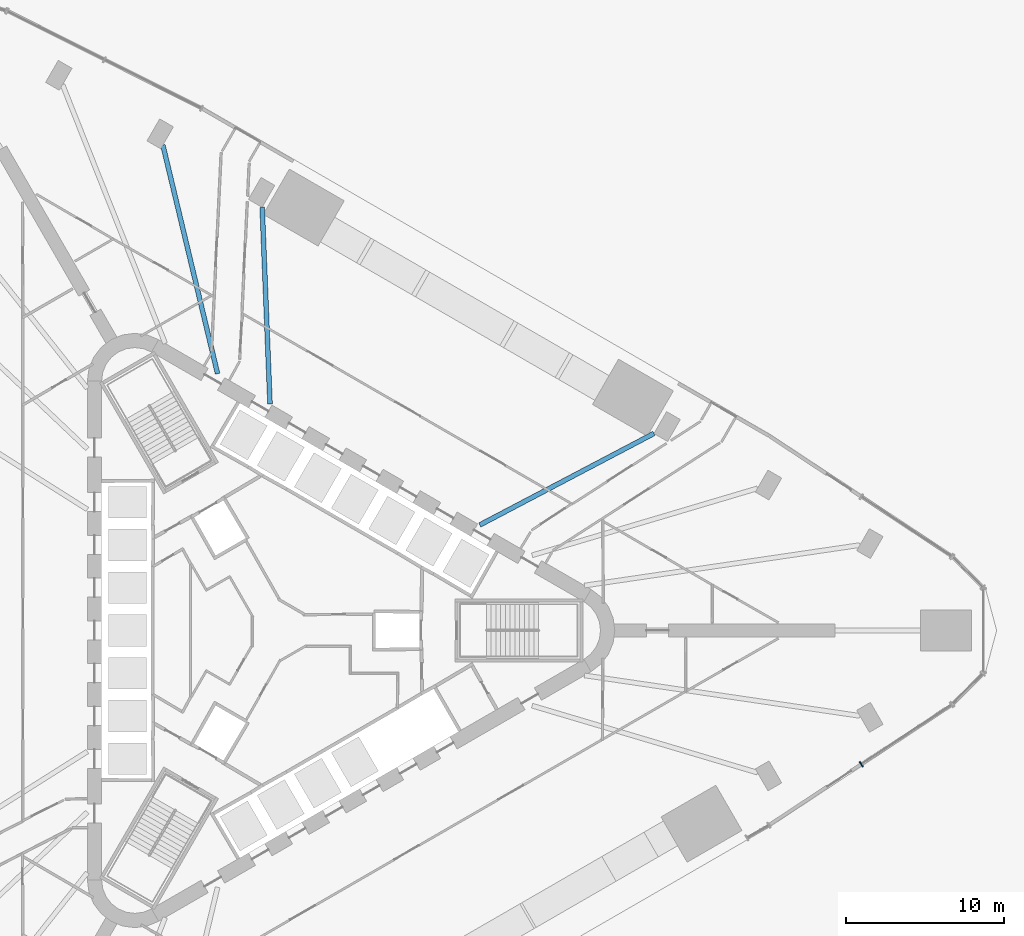
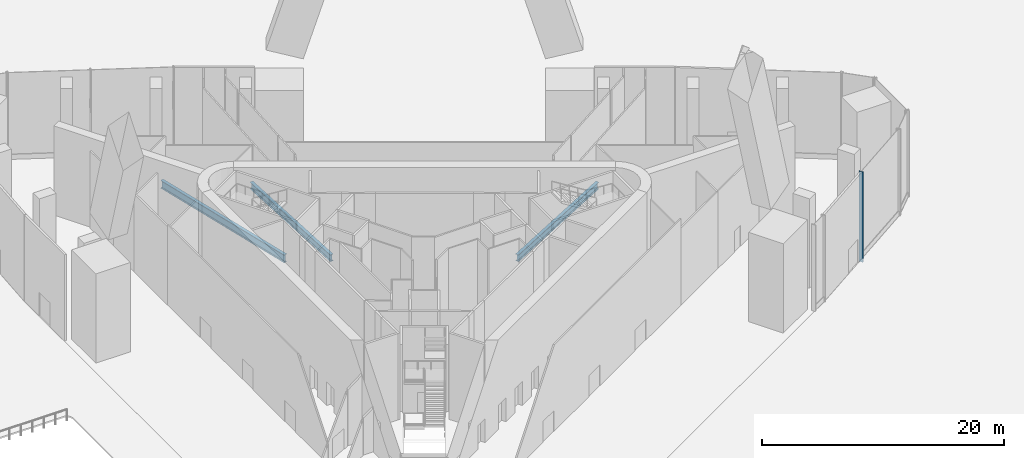
# One storey, part 5 of 22: 3 beams, 1 member, 1 element without a shape of its own.
"""IFC4 building model written with IfcOpenShell, lengths in metres."""

from ifc_helpers import new_model, si_unit, direction, frame, origin, origin_2d, place, context, subcontext, project, spatial, rectangle, i_section, extrude, material, material_profile, profile_set, type_object, element, aggregate, save


model = new_model("IFC4")

# Units and contexts
model_context = context("Model", 3, precision=1e-05, world=origin(), true_north=direction((0.0, 1.0)))
body_context = subcontext(model_context, "Body", "Model", "MODEL_VIEW")
ifc_project = project(units=[si_unit("LENGTHUNIT", "METRE"), si_unit("AREAUNIT", "SQUARE_METRE"), si_unit("VOLUMEUNIT", "CUBIC_METRE"), si_unit("PLANEANGLEUNIT", "RADIAN"), si_unit("MASSUNIT", "GRAM", prefix="KILO")], contexts=[model_context])

# Site, building, storey
site_placement = place(None, origin())
site = spatial("IfcSite", under=ifc_project, at=site_placement, CompositionType="ELEMENT")
building_placement = place(site_placement, origin())
building = spatial("IfcBuilding", under=site, at=building_placement, Name="Tanit Gate Tower", CompositionType="ELEMENT")
storey_placement = place(building_placement, origin())
storey = spatial("IfcBuildingStorey", under=building, at=storey_placement, Name="L00", CompositionType="ELEMENT", Elevation=0.0)

# Curtain wall, member
ifc_material_1 = material(Name="Aluminium bronze anodised and glass", Category="aluminium")
curtain_wall_type = type_object("IfcCurtainWallType", Name="Curtain wall shopfront", PredefinedType="NOTDEFINED", material=ifc_material_1)
curtain_wall_placement = place(storey_placement, origin())
curtain_wall = element("IfcCurtainWall", 1, at=curtain_wall_placement, inside=storey, type_object=curtain_wall_type, Name="Curtain wall L00 SE3b", PredefinedType="NOTDEFINED")
ifc_material_2 = material(Name="Aluminium bronze anodised", Category="aluminium")
ifc_material_profile_1 = material_profile(ifc_material_2, rectangle(XDim=0.3798828125, YDim=0.080078125, at=origin_2d()), Name="80x380 bronze mullion")
ifc_profile_set_1 = profile_set([ifc_material_profile_1], Name="Aluminium bronze anodised")
member_type = type_object("IfcMemberType", Name="Mullion 80x380 shopfront", PredefinedType="MULLION", material=ifc_profile_set_1)
member_placement = place(storey_placement, frame((36.7607421875, -8.4443359375, -0.39990234375), z_axis=(0.0, 0.0, 1.0), x_axis=(-0.550730158129, 0.834683348898, 0.0)))
member = element("IfcMember", 2, at=member_placement, type_object=member_type, Name="Mullion L00 SE3b.1", PredefinedType="MULLION", context=body_context, shape_type="SweptSolid", body=[
    extrude(rectangle(XDim=0.3798828125, YDim=0.080078125, at=origin_2d()), origin(), (0.0, 0.0, 1.0), 9.099853515625),
])
aggregate(curtain_wall, [member])

# Beams
ifc_material_3 = material(Name="Steel S355", Category="steel")
ifc_material_profile_2 = material_profile(ifc_material_3, i_section(OverallWidth=0.300048828125, OverallDepth=0.68994140625, WebThickness=0.014404296875, FlangeThickness=0.027099609375, FilletRadius=0.027099609375, at=origin_2d()), Name="HEA 700")
ifc_profile_set_2 = profile_set([ifc_material_profile_2], Name="Steel S355")
beam_type_1 = type_object("IfcBeamType", Name="RADIAL GIRDER HEA 700 S355", PredefinedType="BEAM", material=ifc_profile_set_2)
for number, where, z_axis, x_axis, name in (
    (3, (23.67529296875, 12.44091796875, -0.7451171875), (-0.885222641024, -0.46516757821, 0.0), (0.46516757821, -0.885222641024, 0.0), "RADIAL GIRDER"),
    (4, (-1.0634765625, 26.723876953125, -0.7451171875), (0.039770385668, -0.999208845249, 0.0), (0.999208845249, 0.039770385668, 0.0), "RADIAL GIRDER"),
):
    element("IfcBeam", number, at=place(storey_placement, frame(where, z_axis=z_axis, x_axis=x_axis)), inside=storey, type_object=beam_type_1, Name=name, PredefinedType="BEAM", context=body_context, shape_type="SweptSolid", body=[
        extrude(i_section(OverallWidth=0.300048828125, OverallDepth=0.68994140625, WebThickness=0.014404296875, FlangeThickness=0.027099609375, FilletRadius=0.027099609375, at=origin_2d()), origin(), (0.0, 0.0, 1.0), 12.430908203125),
    ])
ifc_material_4 = material(Name="Steel S355", Category="steel")
ifc_material_profile_3 = material_profile(ifc_material_4, i_section(OverallWidth=0.300048828125, OverallDepth=0.7900390625, WebThickness=0.014892578125, FlangeThickness=0.028076171875, FilletRadius=0.030029296875, at=origin_2d()), Name="HEA 800")
ifc_profile_set_3 = profile_set([ifc_material_profile_3], Name="Steel S355")
beam_type_2 = type_object("IfcBeamType", Name="RADIAL GIRDER HEA 800 S355", PredefinedType="BEAM", material=ifc_profile_set_3)
beam_placement = place(storey_placement, frame((-7.33251953125, 30.648193359375, -0.794921875), z_axis=(0.232680439766, -0.972553244275, 0.0), x_axis=(0.972553244275, 0.232680439766, 0.0)))
element("IfcBeam", 5, at=beam_placement, inside=storey, type_object=beam_type_2, Name="RADIAL GIRDER", PredefinedType="BEAM", context=body_context, shape_type="SweptSolid", body=[
    extrude(i_section(OverallWidth=0.300048828125, OverallDepth=0.7900390625, WebThickness=0.014892578125, FlangeThickness=0.028076171875, FilletRadius=0.030029296875, at=origin_2d()), origin(), (0.0, 0.0, 1.0), 14.841796875),
])

save(model, "model.ifc")
